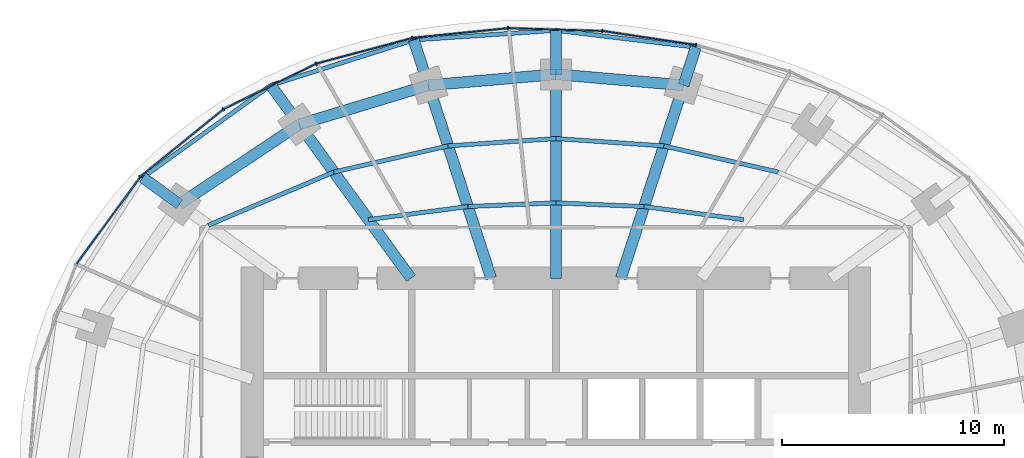
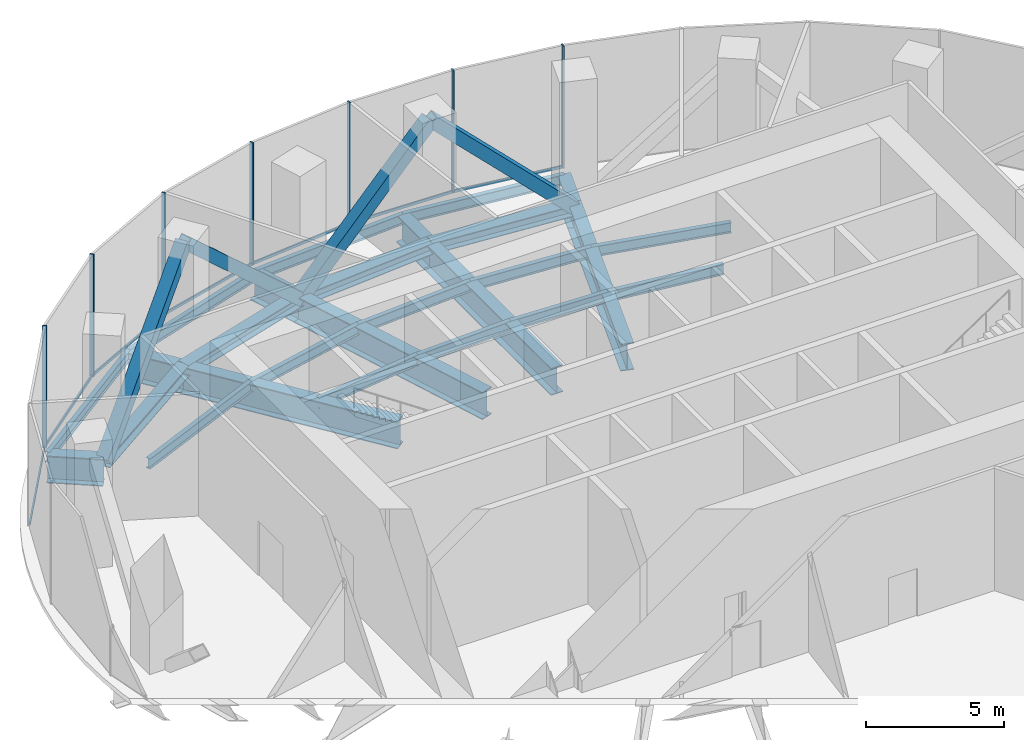
# One storey, part 7 of 13: 22 beams, 22 members, 2 elements without a shape of their own.
"""IFC4 building model written with IfcOpenShell, lengths in metres."""

import ifcopenshell
import ifcopenshell.guid

model = None  # the IFC model being written
_history = None  # IfcOwnerHistory: only IFC2X3 demands one
_inside = {}  # id of a spatial element -> (the spatial element, [elements in it])
_under = {}  # id of a project, library or spatial element -> (it, [spatial elements below it])
_declared = {}  # id of a project -> (the project, [libraries it declares])
_typed = {}  # id of a type object -> (the type object, [elements of that type])
_made_of = {}  # id of a material, layer set ... -> (it, [elements and type objects made of it])


def new_model(schema):
    """Start an empty IFC model of exactly this schema.

    Asked for "IFC4X3", IfcOpenShell would pick the latest addendum, in which some entities
    have other attributes; the version numbers below select the first issue.
    IFC2X3 requires an IfcOwnerHistory on every rooted entity: one is made here for all.
    """
    global model, _history
    if schema == "IFC4X3":
        model = ifcopenshell.file(schema_version=(4, 3, 0, 0))
    else:
        model = ifcopenshell.file(schema=schema)
    _inside.clear()
    _under.clear()
    _declared.clear()
    _typed.clear()
    _made_of.clear()
    _history = None
    if model.schema == "IFC2X3":
        org = make("IfcOrganization", Name="unknown")
        user = make(
            "IfcPersonAndOrganization",
            ThePerson=make("IfcPerson", FamilyName="unknown"),
            TheOrganization=org,
        )
        app = make(
            "IfcApplication",
            ApplicationDeveloper=org,
            Version="unknown",
            ApplicationFullName="unknown",
            ApplicationIdentifier="unknown",
        )
        _history = make(
            "IfcOwnerHistory",
            OwningUser=user,
            OwningApplication=app,
            ChangeAction="ADDED",
            CreationDate=0,
        )
    return model


def make(cls, **values):
    """One entity of the class cls with the attributes given. An attribute that is None is left unset."""
    return model.create_entity(
        cls, **{name: value for name, value in values.items() if value is not None}
    )


def rooted(cls, **values):
    """An entity with a GlobalId (a new one), such as an element, a storey or a relation."""
    return make(cls, GlobalId=ifcopenshell.guid.new(), OwnerHistory=_history, **values)


def si_unit(unit_type, name, prefix=None):
    """IfcSIUnit, for example si_unit("LENGTHUNIT", "METRE", prefix="MILLI")."""
    return make("IfcSIUnit", UnitType=unit_type, Prefix=prefix, Name=name)


def assignment(units):
    """IfcUnitAssignment: the units of a project."""
    return None if units is None else make("IfcUnitAssignment", Units=units)


def point(xyz):
    """IfcCartesianPoint."""
    return None if xyz is None else make("IfcCartesianPoint", Coordinates=xyz)


def direction(xyz):
    """IfcDirection."""
    return None if xyz is None else make("IfcDirection", DirectionRatios=xyz)


def frame(location, z_axis=None, x_axis=None):
    """IfcAxis2Placement3D, a coordinate frame: its origin and axes. An axis left out is left unset."""
    return make(
        "IfcAxis2Placement3D",
        Location=point(location),
        Axis=direction(z_axis),
        RefDirection=direction(x_axis),
    )


def frame_2d(location, x_axis=None):
    """IfcAxis2Placement2D, a coordinate frame in the plane: its origin and x axis."""
    return make(
        "IfcAxis2Placement2D", Location=point(location), RefDirection=direction(x_axis)
    )


def origin():
    """The frame at (0, 0, 0) with its axes left unset."""
    return frame((0.0, 0.0, 0.0))


def origin_2d():
    """The frame at (0, 0) in the plane with its x axis left unset."""
    return frame_2d((0.0, 0.0))


def place(relative_to, where):
    """IfcLocalPlacement: puts the frame where relative to a parent placement (None: the world)."""
    return make(
        "IfcLocalPlacement", PlacementRelTo=relative_to, RelativePlacement=where
    )


def context(
    kind, dimensions, precision=None, world=None, true_north=None, identifier=None
):
    """IfcGeometricRepresentationContext, for example the 3D "Model" context."""
    return make(
        "IfcGeometricRepresentationContext",
        ContextIdentifier=identifier,
        ContextType=kind,
        CoordinateSpaceDimension=dimensions,
        Precision=precision,
        WorldCoordinateSystem=world,
        TrueNorth=true_north,
    )


def subcontext(parent, identifier, kind, view, scale=None):
    """IfcGeometricRepresentationSubContext, for example "Body" below "Model"."""
    return make(
        "IfcGeometricRepresentationSubContext",
        ContextIdentifier=identifier,
        ContextType=kind,
        ParentContext=parent,
        TargetScale=scale,
        TargetView=view,
    )


def project(units=None, contexts=None):
    """IfcProject with its units and contexts."""
    return rooted(
        "IfcProject",
        Name="project",
        RepresentationContexts=contexts,
        UnitsInContext=assignment(units),
    )


def spatial(cls, under=None, at=None, **own):
    """A site, building, storey or space (cls), placed at a placement, below another one or the project."""
    s = rooted(cls, ObjectPlacement=at, **own)
    if under is not None:
        _under.setdefault(under.id(), (under, []))[1].append(s)
    return s


def profile(cls, at=None, kind="AREA", **sizes):
    """A parametric profile (cls). Its sizes go by their IFC names, for example OverallWidth=200.0."""
    return make(cls, ProfileType=kind, Position=at, **sizes)


def rectangle(**sizes):
    """IfcRectangleProfileDef."""
    return profile("IfcRectangleProfileDef", **sizes)


def hollow_rectangle(**sizes):
    """IfcRectangleHollowProfileDef."""
    return profile("IfcRectangleHollowProfileDef", **sizes)


def i_section(**sizes):
    """IfcIShapeProfileDef."""
    return profile("IfcIShapeProfileDef", **sizes)


def extrude(swept, where, along, depth):
    """IfcExtrudedAreaSolid: the profile swept, set in the frame where, extruded along a direction by depth."""
    return make(
        "IfcExtrudedAreaSolid",
        SweptArea=swept,
        Position=where,
        ExtrudedDirection=direction(along),
        Depth=depth,
    )


def shape(context_of_items, identifier, shape_type, items):
    """IfcShapeRepresentation: the items that make up one representation, for example the "Body"."""
    return make(
        "IfcShapeRepresentation",
        ContextOfItems=context_of_items,
        RepresentationIdentifier=identifier,
        RepresentationType=shape_type,
        Items=items,
    )


def material(Name=None, Category=None):
    """IfcMaterial."""
    return make("IfcMaterial", Name=Name, Category=Category)


def material_profile(
    of_material, cross_section, Name=None, Category=None, Priority=None
):
    """IfcMaterialProfile: a cross section and its material."""
    return make(
        "IfcMaterialProfile",
        Name=Name,
        Material=of_material,
        Profile=cross_section,
        Priority=Priority,
        Category=Category,
    )


def profile_set(profiles, Name=None, composite=None):
    """IfcMaterialProfileSet."""
    return make(
        "IfcMaterialProfileSet",
        Name=Name,
        MaterialProfiles=profiles,
        CompositeProfile=composite,
    )


def made_of(thing, what):
    """Note that an element or type object is made of a material, layer set ...; save() writes the relation."""
    if what is not None:
        _made_of.setdefault(what.id(), (what, []))[1].append(thing)
    return thing


def type_object(cls, material=None, **own):
    """A type object (cls), such as IfcWallType, which elements share."""
    return made_of(rooted(cls, **own), material)


def element(
    cls,
    number,
    at=None,
    inside=None,
    cuts=None,
    type_object=None,
    material=None,
    context=None,
    identifier="Body",
    shape_type=None,
    held_by="IfcProductDefinitionShape",
    body=None,
    shapes=None,
    **own,
):
    """One element of the class cls, such as IfcWall. Its Tag is "e" and its number.

    at: its placement. inside: the storey or other place that contains it. cuts: it is an
    opening in that element (IfcRelVoidsElement). A single representation is given by context,
    identifier, shape_type and body (its items); several are given by shapes. held_by: the class
    of the entity that holds the representations. save() writes the other relations.
    """
    e = rooted(cls, Tag="e%d" % number, ObjectPlacement=at, **own)
    if body is not None:
        shapes = [shape(context, identifier, shape_type, body)]
    if shapes is not None:
        e.Representation = make(held_by, Representations=shapes)
    if inside is not None:
        _inside.setdefault(inside.id(), (inside, []))[1].append(e)
    if cuts is not None:
        rooted(
            "IfcRelVoidsElement", RelatingBuildingElement=cuts, RelatedOpeningElement=e
        )
    if type_object is not None:
        _typed.setdefault(type_object.id(), (type_object, []))[1].append(e)
    return made_of(e, material)


def aggregate(whole, parts):
    """IfcRelAggregates: a whole, such as a stair, and the parts it consists of."""
    return rooted("IfcRelAggregates", RelatingObject=whole, RelatedObjects=parts)


def save(model, path):
    """Write the relations noted so far, then the file.

    IfcRelAggregates (storeys below a building ...), IfcRelContainedInSpatialStructure (elements
    in a storey), IfcRelDefinesByType, IfcRelAssociatesMaterial and IfcRelDeclares: one each for
    every whole, place, type object, material and project.
    """
    for whole, parts in _under.values():
        aggregate(whole, parts)
    for where, things in _inside.values():
        rooted(
            "IfcRelContainedInSpatialStructure",
            RelatedElements=things,
            RelatingStructure=where,
        )
    for kind, things in _typed.values():
        rooted("IfcRelDefinesByType", RelatedObjects=things, RelatingType=kind)
    for what, things in _made_of.values():
        rooted("IfcRelAssociatesMaterial", RelatedObjects=things, RelatingMaterial=what)
    for by, libraries in _declared.values():
        rooted("IfcRelDeclares", RelatingContext=by, RelatedDefinitions=libraries)
    model.write(path)


model = new_model("IFC4")

# Units and contexts
model_context = context("Model", 3, precision=1e-05, world=origin(), true_north=direction((0.0, 1.0)))
body_context = subcontext(model_context, "Body", "Model", "MODEL_VIEW")
ifc_project = project(units=[si_unit("LENGTHUNIT", "METRE"), si_unit("AREAUNIT", "SQUARE_METRE"), si_unit("VOLUMEUNIT", "CUBIC_METRE"), si_unit("PLANEANGLEUNIT", "RADIAN"), si_unit("MASSUNIT", "GRAM", prefix="KILO")], contexts=[model_context])

# Site, building, storey
site_placement = place(None, origin())
site = spatial("IfcSite", under=ifc_project, at=site_placement, CompositionType="ELEMENT")
building_placement = place(site_placement, origin())
building = spatial("IfcBuilding", under=site, at=building_placement, Name="Marramba Exchange Tower", CompositionType="ELEMENT")
storey_placement = place(building_placement, frame((0.0, 0.0, 246.199951171875)))
storey = spatial("IfcBuildingStorey", under=building, at=storey_placement, Name="L60", CompositionType="ELEMENT", Elevation=246.199951171875)

# Members
ifc_material_1 = material(Name="Steel AS/NZS 3679.2 grade 300", Category="steel")
ifc_material_profile_1 = material_profile(ifc_material_1, i_section(OverallWidth=0.5, OverallDepth=0.48388671875, WebThickness=0.02490234375, FlangeThickness=0.031982421875, at=origin_2d()), Name="500WC340")
ifc_profile_set_1 = profile_set([ifc_material_profile_1], Name="Steel AS/NZS 3679.2 grade 300")
member_type_1 = type_object("IfcMemberType", Name="Belt truss chord 500WC340", PredefinedType="CHORD", material=ifc_profile_set_1)
for number, where, z_axis, x_axis, name in (
    (1, (5.75390625, 17.70849609375, -0.44189453125), (-0.996311003275, 0.085815993578, 0.0), (-0.085815993578, -0.996311003275, 0.0), "Belt chord L60 TC05-TC06"),
    (2, (0.0, 18.2041015625, -0.44189453125), (-0.996311003275, -0.085815993578, 0.0), (0.085815993578, -0.996311003275, 0.0), "Belt chord L60 TC06-TC07"),
):
    element("IfcMember", number, at=place(storey_placement, frame(where, z_axis=z_axis, x_axis=x_axis)), inside=storey, type_object=member_type_1, Name=name, PredefinedType="CHORD", context=body_context, shape_type="SweptSolid", body=[
        extrude(i_section(OverallWidth=0.5, OverallDepth=0.48388671875, WebThickness=0.02490234375, FlangeThickness=0.031982421875, at=origin_2d()), origin(), (0.0, 0.0, 1.0), 5.775146484375),
    ])
member_1_placement = place(storey_placement, frame((-5.75390625, 17.70849609375, -0.44189453125), z_axis=(-0.956924542524, -0.290336735387, 0.0), x_axis=(0.290336735387, -0.956924542524, 0.0)))
element("IfcMember", 3, at=member_1_placement, inside=storey, type_object=member_type_1, Name="Belt chord L60 TC07-TC08", PredefinedType="CHORD", context=body_context, shape_type="SweptSolid", body=[
    extrude(i_section(OverallWidth=0.5, OverallDepth=0.48388671875, WebThickness=0.02490234375, FlangeThickness=0.031982421875, at=origin_2d()), origin(), (0.0, 0.0, 1.0), 6.089599609375),
])
member_2_placement = place(storey_placement, frame((-11.581298828125, 15.9404296875, -0.44189453125), z_axis=(-0.832293151443, -0.554335737673, 0.0), x_axis=(0.554335737673, -0.832293151443, 0.0)))
element("IfcMember", 4, at=member_2_placement, inside=storey, type_object=member_type_1, Name="Belt chord L60 TC08-TC09", PredefinedType="CHORD", context=body_context, shape_type="SweptSolid", body=[
    extrude(i_section(OverallWidth=0.5, OverallDepth=0.48388671875, WebThickness=0.02490234375, FlangeThickness=0.031982421875, at=origin_2d()), origin(), (0.0, 0.0, 1.0), 6.49365234375),
])
ifc_material_2 = material(Name="Steel AS/NZS 3678 grade 350", Category="steel")
ifc_material_profile_2 = material_profile(ifc_material_2, hollow_rectangle(XDim=0.5, YDim=0.5, WallThickness=0.031982421875, at=origin_2d()), Name="500x500x32BOX")
ifc_profile_set_2 = profile_set([ifc_material_profile_2], Name="Steel AS/NZS 3678 grade 350")
member_type_2 = type_object("IfcMemberType", Name="Belt truss diagonal 500x500x32BOX", PredefinedType="BRACE", material=ifc_profile_set_2)
for number, where, z_axis, x_axis, name in (
    (5, (5.75390625, 17.70849609375, -0.44189453125), (-0.715273791372, 0.061609207251, 0.696123343207), (-0.085815993578, -0.996311003275, 0.0), "Belt truss BT60 diagonal 05"),
    (6, (0.0, 18.2041015625, 5.157958984375), (-0.715273791372, -0.061609207251, -0.696123343207), (0.085815993578, -0.996311003275, 0.0), "Belt truss BT60 diagonal 06"),
):
    element("IfcMember", number, at=place(storey_placement, frame(where, z_axis=z_axis, x_axis=x_axis)), inside=storey, type_object=member_type_2, Name=name, PredefinedType="BRACE", context=body_context, shape_type="SweptSolid", body=[
        extrude(hollow_rectangle(XDim=0.5, YDim=0.5, WallThickness=0.031982421875, at=origin_2d()), origin(), (0.0, 0.0, 1.0), 8.04443359375),
    ])
member_3_placement = place(storey_placement, frame((-5.75390625, 17.70849609375, -0.44189453125), z_axis=(-0.704384845581, -0.213714652968, 0.676881109518), x_axis=(0.290336735387, -0.956924542524, 0.0)))
element("IfcMember", 7, at=member_3_placement, inside=storey, type_object=member_type_2, Name="Belt truss BT60 diagonal 07", PredefinedType="BRACE", context=body_context, shape_type="SweptSolid", body=[
    extrude(hollow_rectangle(XDim=0.5, YDim=0.5, WallThickness=0.031982421875, at=origin_2d()), origin(), (0.0, 0.0, 1.0), 8.27294921875),
])
member_4_placement = place(storey_placement, frame((-11.581298828125, 15.9404296875, 5.157958984375), z_axis=(-0.630292951441, -0.419796687719, -0.653070850937), x_axis=(0.554335737673, -0.832293151443, 0.0)))
element("IfcMember", 8, at=member_4_placement, inside=storey, type_object=member_type_2, Name="Belt truss BT60 diagonal 08", PredefinedType="BRACE", context=body_context, shape_type="SweptSolid", body=[
    extrude(hollow_rectangle(XDim=0.5, YDim=0.5, WallThickness=0.031982421875, at=origin_2d()), origin(), (0.0, 0.0, 1.0), 8.57470703125),
])

# Beams
ifc_material_profile_3 = material_profile(ifc_material_1, i_section(OverallWidth=0.5, OverallDepth=1.199951171875, WebThickness=0.01611328125, FlangeThickness=0.0400390625, at=origin_2d()), Name="1200WB455")
ifc_profile_set_3 = profile_set([ifc_material_profile_3], Name="Steel AS/NZS 3679.2 grade 300")
beam_type_1 = type_object("IfcBeamType", Name="Cantilever girder 1200WB455", PredefinedType="BEAM", material=ifc_profile_set_3)
beam_1_placement = place(storey_placement, frame((5.75390625, 17.70849609375, -0.800048828125), z_axis=(0.308960771946, 0.951074782232, 0.0), x_axis=(-0.951074782232, 0.308960771946, 0.0)))
element("IfcBeam", 9, at=beam_1_placement, inside=storey, type_object=beam_type_1, Name="Cantilever girder L60 TC05", PredefinedType="BEAM", context=body_context, shape_type="SweptSolid", body=[
    extrude(i_section(OverallWidth=0.5, OverallDepth=1.199951171875, WebThickness=0.01611328125, FlangeThickness=0.0400390625, at=origin_2d()), origin(), (0.0, 0.0, 1.0), 1.806396484375),
])
beam_2_placement = place(storey_placement, frame((0.0, 18.2041015625, -0.800048828125), z_axis=(0.0, 1.0, 0.0), x_axis=(-1.0, 0.0, 0.0)))
element("IfcBeam", 10, at=beam_2_placement, inside=storey, type_object=beam_type_1, Name="Cantilever girder L60 TC06", PredefinedType="BEAM", context=body_context, shape_type="SweptSolid", body=[
    extrude(i_section(OverallWidth=0.5, OverallDepth=1.199951171875, WebThickness=0.01611328125, FlangeThickness=0.0400390625, at=origin_2d()), origin(), (0.0, 0.0, 1.0), 1.982177734375),
])
beam_3_placement = place(storey_placement, frame((-5.75390625, 17.70849609375, -0.800048828125), z_axis=(-0.308998798068, 0.951062428441, 0.0), x_axis=(-0.951062428441, -0.308998798068, 0.0)))
element("IfcBeam", 11, at=beam_3_placement, inside=storey, type_object=beam_type_1, Name="Cantilever girder L60 TC07", PredefinedType="BEAM", context=body_context, shape_type="SweptSolid", body=[
    extrude(i_section(OverallWidth=0.5, OverallDepth=1.199951171875, WebThickness=0.01611328125, FlangeThickness=0.0400390625, at=origin_2d()), origin(), (0.0, 0.0, 1.0), 2.150634765625),
])
beam_4_placement = place(storey_placement, frame((-11.581298828125, 15.9404296875, -0.800048828125), z_axis=(-0.587832433352, 0.808982713226, 0.0), x_axis=(-0.808982713226, -0.587832433352, 0.0)))
element("IfcBeam", 12, at=beam_4_placement, inside=storey, type_object=beam_type_1, Name="Cantilever girder L60 TC08", PredefinedType="BEAM", context=body_context, shape_type="SweptSolid", body=[
    extrude(i_section(OverallWidth=0.5, OverallDepth=1.199951171875, WebThickness=0.01611328125, FlangeThickness=0.0400390625, at=origin_2d()), origin(), (0.0, 0.0, 1.0), 2.1826171875),
])
beam_5_placement = place(storey_placement, frame((-16.98583984375, 12.3408203125, -0.800048828125), z_axis=(-0.808962446125, 0.587860324192, 0.0), x_axis=(-0.587860324192, -0.808962446125, 0.0)))
element("IfcBeam", 13, at=beam_5_placement, inside=storey, type_object=beam_type_1, Name="Cantilever girder L60 TC09", PredefinedType="BEAM", context=body_context, shape_type="SweptSolid", body=[
    extrude(i_section(OverallWidth=0.5, OverallDepth=1.199951171875, WebThickness=0.01611328125, FlangeThickness=0.0400390625, at=origin_2d()), origin(), (0.0, 0.0, 1.0), 2.051513671875),
])
ifc_material_3 = material(Name="Steel AS/NZS 3679.1 grade 300", Category="steel")
ifc_material_profile_4 = material_profile(ifc_material_3, i_section(OverallWidth=0.19091796875, OverallDepth=0.4599609375, WebThickness=0.010009765625, FlangeThickness=0.01611328125, FilletRadius=0.011474609375, at=origin_2d()), Name="460UB82.1")
ifc_profile_set_4 = profile_set([ifc_material_profile_4], Name="Steel AS/NZS 3679.1 grade 300")
beam_type_2 = type_object("IfcBeamType", Name="Floor joist 460UB82.1", PredefinedType="JOIST", material=ifc_profile_set_4)
beam_6_placement = place(storey_placement, frame((8.4619140625, 11.646728515625, -0.429931640625), z_axis=(-0.991480538255, 0.130254912618, 0.0), x_axis=(-0.130254912618, -0.991480538255, 0.0)))
element("IfcBeam", 14, at=beam_6_placement, inside=storey, type_object=beam_type_2, Name="Joist L60 bay 04 row 1", PredefinedType="JOIST", context=body_context, shape_type="SweptSolid", body=[
    extrude(i_section(OverallWidth=0.19091796875, OverallDepth=0.4599609375, WebThickness=0.010009765625, FlangeThickness=0.01611328125, FilletRadius=0.011474609375, at=origin_2d()), origin(), (0.0, 0.0, 1.0), 4.524658203125),
])
beam_7_placement = place(storey_placement, frame((10.021728515625, 13.793701171875, -0.429931640625), z_axis=(-0.974859652292, 0.222819788916, 0.0), x_axis=(-0.222819788916, -0.974859652292, 0.0)))
element("IfcBeam", 15, at=beam_7_placement, inside=storey, type_object=beam_type_2, Name="Joist L60 bay 04 row 2", PredefinedType="JOIST", context=body_context, shape_type="SweptSolid", body=[
    extrude(i_section(OverallWidth=0.19091796875, OverallDepth=0.4599609375, WebThickness=0.010009765625, FlangeThickness=0.01611328125, FilletRadius=0.011474609375, at=origin_2d()), origin(), (0.0, 0.0, 1.0), 5.2900390625),
])
beam_8_placement = place(storey_placement, frame((3.975830078125, 12.236083984375, -0.429931640625), z_axis=(-0.999137002892, 0.041536122257, 0.0), x_axis=(-0.041536122257, -0.999137002892, 0.0)))
element("IfcBeam", 16, at=beam_8_placement, inside=storey, type_object=beam_type_2, Name="Joist L60 bay 05 row 1", PredefinedType="JOIST", context=body_context, shape_type="SweptSolid", body=[
    extrude(i_section(OverallWidth=0.19091796875, OverallDepth=0.4599609375, WebThickness=0.010009765625, FlangeThickness=0.01611328125, FilletRadius=0.011474609375, at=origin_2d()), origin(), (0.0, 0.0, 1.0), 3.979248046875),
])
beam_9_placement = place(storey_placement, frame((4.86474609375, 14.972412109375, -0.429931640625), z_axis=(-0.997702652202, 0.067745241816, 0.0), x_axis=(-0.067745241816, -0.997702652202, 0.0)))
element("IfcBeam", 17, at=beam_9_placement, inside=storey, type_object=beam_type_2, Name="Joist L60 bay 05 row 2", PredefinedType="JOIST", context=body_context, shape_type="SweptSolid", body=[
    extrude(i_section(OverallWidth=0.19091796875, OverallDepth=0.4599609375, WebThickness=0.010009765625, FlangeThickness=0.01611328125, FilletRadius=0.011474609375, at=origin_2d()), origin(), (0.0, 0.0, 1.0), 4.8759765625),
])
beam_10_placement = place(storey_placement, frame((0.0, 12.4013671875, -0.429931640625), z_axis=(-0.999137002892, -0.041536122257, 0.0), x_axis=(0.041536122257, -0.999137002892, 0.0)))
element("IfcBeam", 18, at=beam_10_placement, inside=storey, type_object=beam_type_2, Name="Joist L60 bay 06 row 1", PredefinedType="JOIST", context=body_context, shape_type="SweptSolid", body=[
    extrude(i_section(OverallWidth=0.19091796875, OverallDepth=0.4599609375, WebThickness=0.010009765625, FlangeThickness=0.01611328125, FilletRadius=0.011474609375, at=origin_2d()), origin(), (0.0, 0.0, 1.0), 3.979248046875),
])
beam_11_placement = place(storey_placement, frame((0.0, 15.302734375, -0.429931640625), z_axis=(-0.997702652202, -0.067745241816, 0.0), x_axis=(0.067745241816, -0.997702652202, 0.0)))
element("IfcBeam", 19, at=beam_11_placement, inside=storey, type_object=beam_type_2, Name="Joist L60 bay 06 row 2", PredefinedType="JOIST", context=body_context, shape_type="SweptSolid", body=[
    extrude(i_section(OverallWidth=0.19091796875, OverallDepth=0.4599609375, WebThickness=0.010009765625, FlangeThickness=0.01611328125, FilletRadius=0.011474609375, at=origin_2d()), origin(), (0.0, 0.0, 1.0), 4.8759765625),
])
beam_12_placement = place(storey_placement, frame((-3.975830078125, 12.236083984375, -0.429931640625), z_axis=(-0.991480538255, -0.130254912618, 0.0), x_axis=(0.130254912618, -0.991480538255, 0.0)))
element("IfcBeam", 20, at=beam_12_placement, inside=storey, type_object=beam_type_2, Name="Joist L60 bay 07 row 1", PredefinedType="JOIST", context=body_context, shape_type="SweptSolid", body=[
    extrude(i_section(OverallWidth=0.19091796875, OverallDepth=0.4599609375, WebThickness=0.010009765625, FlangeThickness=0.01611328125, FilletRadius=0.011474609375, at=origin_2d()), origin(), (0.0, 0.0, 1.0), 4.524658203125),
])
beam_13_placement = place(storey_placement, frame((-4.86474609375, 14.972412109375, -0.429931640625), z_axis=(-0.974859652292, -0.222819788916, 0.0), x_axis=(0.222819788916, -0.974859652292, 0.0)))
element("IfcBeam", 21, at=beam_13_placement, inside=storey, type_object=beam_type_2, Name="Joist L60 bay 07 row 2", PredefinedType="JOIST", context=body_context, shape_type="SweptSolid", body=[
    extrude(i_section(OverallWidth=0.19091796875, OverallDepth=0.4599609375, WebThickness=0.010009765625, FlangeThickness=0.01611328125, FilletRadius=0.011474609375, at=origin_2d()), origin(), (0.0, 0.0, 1.0), 5.2900390625),
])
beam_14_placement = place(storey_placement, frame((-10.021728515625, 13.793701171875, -0.429931640625), z_axis=(-0.920674336375, -0.390331610738, 0.0), x_axis=(0.390331610738, -0.920674336375, 0.0)))
element("IfcBeam", 22, at=beam_14_placement, inside=storey, type_object=beam_type_2, Name="Joist L60 bay 08 row 2", PredefinedType="JOIST", context=body_context, shape_type="SweptSolid", body=[
    extrude(i_section(OverallWidth=0.19091796875, OverallDepth=0.4599609375, WebThickness=0.010009765625, FlangeThickness=0.01611328125, FilletRadius=0.011474609375, at=origin_2d()), origin(), (0.0, 0.0, 1.0), 6.1484375),
])

# Curtain wall, members
ifc_material_4 = material(Name="Aluminium framing, bronze anodised", Category="aluminium")
curtain_wall_type = type_object("IfcCurtainWallType", Name="Plant floor louvred curtain wall", PredefinedType="USERDEFINED", material=ifc_material_4)
curtain_wall_1_placement = place(storey_placement, origin())
curtain_wall_1 = element("IfcCurtainWall", 23, at=curtain_wall_1_placement, inside=storey, type_object=curtain_wall_type, Name="Curtain wall CW6 L60 F06-F10", ObjectType="RIBBON CURTAIN WALL", PredefinedType="USERDEFINED")
ifc_material_5 = material(Name="Aluminium mullion, bronze anodised", Category="aluminium")
ifc_material_profile_5 = material_profile(ifc_material_5, rectangle(XDim=0.159912109375, YDim=0.06005859375, at=origin_2d()), Name="CW6 mullion 60x160")
ifc_profile_set_5 = profile_set([ifc_material_profile_5], Name="Aluminium mullion, bronze anodised")
member_type_3 = type_object("IfcMemberType", Name="Plant floor louvred curtain wall mullion", PredefinedType="MULLION", material=ifc_profile_set_5)
member_5_placement = place(storey_placement, frame((6.313232421875, 19.526123046875, 0.0), z_axis=(0.0, 0.0, 1.0), x_axis=(-0.148794988635, -0.988868065698, 0.0)))
member_5 = element("IfcMember", 24, at=member_5_placement, type_object=member_type_3, Name="CW6 mullion 1", PredefinedType="MULLION", context=body_context, shape_type="SweptSolid", body=[
    extrude(rectangle(XDim=0.159912109375, YDim=0.06005859375, at=origin_2d()), origin(), (0.0, 0.0, 1.0), 5.400146484375),
])
member_6_placement = place(storey_placement, frame((2.088623046875, 20.158203125, 0.0), z_axis=(0.0, 0.0, 1.0), x_axis=(-0.03039385249, -0.999538000143, 0.0)))
member_6 = element("IfcMember", 25, at=member_6_placement, type_object=member_type_3, Name="CW6 mullion 1", PredefinedType="MULLION", context=body_context, shape_type="SweptSolid", body=[
    extrude(rectangle(XDim=0.159912109375, YDim=0.06005859375, at=origin_2d()), origin(), (0.0, 0.0, 1.0), 5.400146484375),
])
member_7_placement = place(storey_placement, frame((-2.162109375, 20.28369140625, 0.0), z_axis=(0.0, 0.0, 1.0), x_axis=(0.100862673507, -0.994900357369, 0.0)))
member_7 = element("IfcMember", 26, at=member_7_placement, type_object=member_type_3, Name="CW6 mullion 1", PredefinedType="MULLION", context=body_context, shape_type="SweptSolid", body=[
    extrude(rectangle(XDim=0.159912109375, YDim=0.06005859375, at=origin_2d()), origin(), (0.0, 0.0, 1.0), 5.400146484375),
])
member_8_placement = place(storey_placement, frame((-6.478271484375, 19.84130859375, 0.0), z_axis=(0.0, 0.0, 1.0), x_axis=(0.257641223778, -0.966240653155, 0.0)))
member_8 = element("IfcMember", 27, at=member_8_placement, type_object=member_type_3, Name="CW6 mullion 1", PredefinedType="MULLION", context=body_context, shape_type="SweptSolid", body=[
    extrude(rectangle(XDim=0.159912109375, YDim=0.06005859375, at=origin_2d()), origin(), (0.0, 0.0, 1.0), 5.400146484375),
])

curtain_wall_2_placement = place(storey_placement, origin())
curtain_wall_2 = element("IfcCurtainWall", 28, at=curtain_wall_2_placement, inside=storey, type_object=curtain_wall_type, Name="Curtain wall CW6 L60 F11-F15", ObjectType="RIBBON CURTAIN WALL", PredefinedType="USERDEFINED")
member_9_placement = place(storey_placement, frame((-10.818359375, 18.677978515625, 0.0), z_axis=(0.0, 0.0, 1.0), x_axis=(0.438972456661, -0.898500518805, 0.0)))
member_9 = element("IfcMember", 29, at=member_9_placement, type_object=member_type_3, Name="CW6 mullion 1", PredefinedType="MULLION", context=body_context, shape_type="SweptSolid", body=[
    extrude(rectangle(XDim=0.159912109375, YDim=0.06005859375, at=origin_2d()), origin(), (0.0, 0.0, 1.0), 5.400146484375),
])
member_10_placement = place(storey_placement, frame((-15.008056640625, 16.62353515625, 0.0), z_axis=(0.0, 0.0, 1.0), x_axis=(0.630200830464, -0.776432169145, 0.0)))
member_10 = element("IfcMember", 30, at=member_10_placement, type_object=member_type_3, Name="CW6 mullion 1", PredefinedType="MULLION", context=body_context, shape_type="SweptSolid", body=[
    extrude(rectangle(XDim=0.159912109375, YDim=0.06005859375, at=origin_2d()), origin(), (0.0, 0.0, 1.0), 5.400146484375),
])
member_11_placement = place(storey_placement, frame((-18.744140625, 13.581298828125, 0.0), z_axis=(0.0, 0.0, 1.0), x_axis=(0.805965197024, -0.591962922138, 0.0)))
member_11 = element("IfcMember", 31, at=member_11_placement, type_object=member_type_3, Name="CW6 mullion 1", PredefinedType="MULLION", context=body_context, shape_type="SweptSolid", body=[
    extrude(rectangle(XDim=0.159912109375, YDim=0.06005859375, at=origin_2d()), origin(), (0.0, 0.0, 1.0), 5.400146484375),
])

# Member
ifc_material_6 = material(Name="Aluminium transom, bronze anodised", Category="aluminium")
ifc_material_profile_6 = material_profile(ifc_material_6, rectangle(XDim=0.06005859375, YDim=0.1201171875, at=origin_2d()), Name="CW6 transom 60x120")
ifc_profile_set_6 = profile_set([ifc_material_profile_6], Name="Aluminium transom, bronze anodised")
member_type_4 = type_object("IfcMemberType", Name="Plant floor louvred curtain wall transom", PredefinedType="USERDEFINED", material=ifc_profile_set_6)
member_12_placement = place(storey_placement, frame((6.28369140625, 19.53076171875, 0.030029296875), z_axis=(-0.988868222508, 0.148793946493, 0.0), x_axis=(-0.148793946493, -0.988868222508, 0.0)))
member_12 = element("IfcMember", 32, at=member_12_placement, type_object=member_type_4, Name="CW6 sill transom", ObjectType="TRANSOM", PredefinedType="USERDEFINED", context=body_context, shape_type="SweptSolid", body=[
    extrude(rectangle(XDim=0.06005859375, YDim=0.1201171875, at=origin_2d()), origin(), (0.0, 0.0, 1.0), 4.2119140625),
])

member_13_placement = place(storey_placement, frame((2.05859375, 20.1591796875, 0.030029296875), z_axis=(-0.99953796835, 0.030394898024, 0.0), x_axis=(-0.030394898024, -0.99953796835, 0.0)))
member_13 = element("IfcMember", 33, at=member_13_placement, type_object=member_type_4, Name="CW6 sill transom", ObjectType="TRANSOM", PredefinedType="USERDEFINED", context=body_context, shape_type="SweptSolid", body=[
    extrude(rectangle(XDim=0.06005859375, YDim=0.1201171875, at=origin_2d()), origin(), (0.0, 0.0, 1.0), 4.19287109375),
])

member_14_placement = place(storey_placement, frame((-2.19189453125, 20.280517578125, 0.030029296875), z_axis=(-0.99489954864, -0.100870650418, 0.0), x_axis=(0.100870650418, -0.99489954864, 0.0)))
member_14 = element("IfcMember", 34, at=member_14_placement, type_object=member_type_4, Name="CW6 sill transom", ObjectType="TRANSOM", PredefinedType="USERDEFINED", context=body_context, shape_type="SweptSolid", body=[
    extrude(rectangle(XDim=0.06005859375, YDim=0.1201171875, at=origin_2d()), origin(), (0.0, 0.0, 1.0), 4.279052734375),
])

member_15_placement = place(storey_placement, frame((-6.50732421875, 19.83349609375, 0.030029296875), z_axis=(-0.966237681407, -0.25765236857, 0.0), x_axis=(0.25765236857, -0.966237681407, 0.0)))
member_15 = element("IfcMember", 35, at=member_15_placement, type_object=member_type_4, Name="CW6 sill transom", ObjectType="TRANSOM", PredefinedType="USERDEFINED", context=body_context, shape_type="SweptSolid", body=[
    extrude(rectangle(XDim=0.06005859375, YDim=0.1201171875, at=origin_2d()), origin(), (0.0, 0.0, 1.0), 4.43359375),
])

aggregate(curtain_wall_1, [member_5, member_12, member_6, member_13, member_7, member_14, member_8, member_15])

member_16_placement = place(storey_placement, frame((-10.84521484375, 18.664794921875, 0.030029296875), z_axis=(-0.898501418486, -0.438970615165, 0.0), x_axis=(0.438970615165, -0.898501418486, 0.0)))
member_16 = element("IfcMember", 36, at=member_16_placement, type_object=member_type_4, Name="CW6 sill transom", ObjectType="TRANSOM", PredefinedType="USERDEFINED", context=body_context, shape_type="SweptSolid", body=[
    extrude(rectangle(XDim=0.06005859375, YDim=0.1201171875, at=origin_2d()), origin(), (0.0, 0.0, 1.0), 4.607177734375),
])

member_17_placement = place(storey_placement, frame((-15.031494140625, 16.6044921875, 0.030029296875), z_axis=(-0.776424623019, -0.630210127473, 0.0), x_axis=(0.630210127473, -0.776424623019, 0.0)))
member_17 = element("IfcMember", 37, at=member_17_placement, type_object=member_type_4, Name="CW6 sill transom", ObjectType="TRANSOM", PredefinedType="USERDEFINED", context=body_context, shape_type="SweptSolid", body=[
    extrude(rectangle(XDim=0.06005859375, YDim=0.1201171875, at=origin_2d()), origin(), (0.0, 0.0, 1.0), 4.7587890625),
])

member_18_placement = place(storey_placement, frame((-18.761962890625, 13.55712890625, 0.030029296875), z_axis=(-0.591957380483, -0.805969267213, 0.0), x_axis=(0.805969267213, -0.591957380483, 0.0)))
member_18 = element("IfcMember", 38, at=member_18_placement, type_object=member_type_4, Name="CW6 sill transom", ObjectType="TRANSOM", PredefinedType="USERDEFINED", context=body_context, shape_type="SweptSolid", body=[
    extrude(rectangle(XDim=0.06005859375, YDim=0.1201171875, at=origin_2d()), origin(), (0.0, 0.0, 1.0), 4.865478515625),
])

aggregate(curtain_wall_2, [member_9, member_16, member_10, member_17, member_11, member_18])

# Beams
ifc_material_profile_7 = material_profile(ifc_material_1, i_section(OverallWidth=0.5, OverallDepth=1.199951171875, WebThickness=0.01611328125, FlangeThickness=0.0400390625, at=origin_2d()), Name="1200WB455")
ifc_profile_set_7 = profile_set([ifc_material_profile_7], Name="Steel AS/NZS 3679.2 grade 300")
beam_type_3 = type_object("IfcBeamType", Name="Radial girder 1200WB455", PredefinedType="BEAM", material=ifc_profile_set_7)
beam_15_placement = place(storey_placement, frame((2.92431640625, 9.0, -0.800048828125), z_axis=(0.309019754162, 0.951055619582, 0.0), x_axis=(-0.951055619582, 0.309019754162, 0.0)))
element("IfcBeam", 39, at=beam_15_placement, inside=storey, type_object=beam_type_3, Name="Radial girder L60 TC05", PredefinedType="BEAM", context=body_context, shape_type="SweptSolid", body=[
    extrude(i_section(OverallWidth=0.5, OverallDepth=1.199951171875, WebThickness=0.01611328125, FlangeThickness=0.0400390625, at=origin_2d()), origin(), (0.0, 0.0, 1.0), 9.15673828125),
])
beam_16_placement = place(storey_placement, frame((0.0, 9.0, -0.800048828125), z_axis=(0.0, 1.0, 0.0), x_axis=(-1.0, 0.0, 0.0)))
element("IfcBeam", 40, at=beam_16_placement, inside=storey, type_object=beam_type_3, Name="Radial girder L60 TC06", PredefinedType="BEAM", context=body_context, shape_type="SweptSolid", body=[
    extrude(i_section(OverallWidth=0.5, OverallDepth=1.199951171875, WebThickness=0.01611328125, FlangeThickness=0.0400390625, at=origin_2d()), origin(), (0.0, 0.0, 1.0), 9.2041015625),
])
beam_17_placement = place(storey_placement, frame((-2.92431640625, 9.0, -0.800048828125), z_axis=(-0.309019754162, 0.951055619582, 0.0), x_axis=(-0.951055619582, -0.309019754162, 0.0)))
element("IfcBeam", 41, at=beam_17_placement, inside=storey, type_object=beam_type_3, Name="Radial girder L60 TC07", PredefinedType="BEAM", context=body_context, shape_type="SweptSolid", body=[
    extrude(i_section(OverallWidth=0.5, OverallDepth=1.199951171875, WebThickness=0.01611328125, FlangeThickness=0.0400390625, at=origin_2d()), origin(), (0.0, 0.0, 1.0), 9.15673828125),
])
beam_18_placement = place(storey_placement, frame((-6.538818359375, 9.0, -0.800048828125), z_axis=(-0.587782439969, 0.80901903764, 0.0), x_axis=(-0.80901903764, -0.587782439969, 0.0)))
element("IfcBeam", 42, at=beam_18_placement, inside=storey, type_object=beam_type_3, Name="Radial girder L60 TC08", PredefinedType="BEAM", context=body_context, shape_type="SweptSolid", body=[
    extrude(i_section(OverallWidth=0.5, OverallDepth=1.199951171875, WebThickness=0.01611328125, FlangeThickness=0.0400390625, at=origin_2d()), origin(), (0.0, 0.0, 1.0), 8.578857421875),
])
ifc_material_profile_8 = material_profile(ifc_material_3, i_section(OverallWidth=0.19091796875, OverallDepth=0.4599609375, WebThickness=0.010009765625, FlangeThickness=0.01611328125, FilletRadius=0.011474609375, at=origin_2d()), Name="460UB82.1")
ifc_profile_set_8 = profile_set([ifc_material_profile_8], Name="Steel AS/NZS 3679.1 grade 300")
beam_type_4 = type_object("IfcBeamType", Name="Slab edge beam 460UB82.1", PredefinedType="SPANDREL", material=ifc_profile_set_8)
beam_19_placement = place(storey_placement, frame((6.31201171875, 19.426513671875, -0.429931640625), z_axis=(-0.992833525914, 0.119505605811, 0.0), x_axis=(-0.119505605811, -0.992833525914, 0.0)))
element("IfcBeam", 43, at=beam_19_placement, inside=storey, type_object=beam_type_4, Name="Slab edge beam L60 TC05-TC06", PredefinedType="SPANDREL", context=body_context, shape_type="SweptSolid", body=[
    extrude(i_section(OverallWidth=0.19091796875, OverallDepth=0.4599609375, WebThickness=0.010009765625, FlangeThickness=0.01611328125, FilletRadius=0.011474609375, at=origin_2d()), origin(), (0.0, 0.0, 1.0), 6.357666015625),
])
beam_20_placement = place(storey_placement, frame((0.0, 20.186279296875, -0.429931640625), z_axis=(-0.997738737775, -0.06721168903, 0.0), x_axis=(0.06721168903, -0.997738737775, 0.0)))
element("IfcBeam", 44, at=beam_20_placement, inside=storey, type_object=beam_type_4, Name="Slab edge beam L60 TC06-TC07", PredefinedType="SPANDREL", context=body_context, shape_type="SweptSolid", body=[
    extrude(i_section(OverallWidth=0.19091796875, OverallDepth=0.4599609375, WebThickness=0.010009765625, FlangeThickness=0.01611328125, FilletRadius=0.011474609375, at=origin_2d()), origin(), (0.0, 0.0, 1.0), 6.43310546875),
])
beam_21_placement = place(storey_placement, frame((-6.41845703125, 19.75390625, -0.429931640625), z_axis=(-0.953057484675, -0.302789416766, 0.0), x_axis=(0.302789416766, -0.953057484675, 0.0)))
element("IfcBeam", 45, at=beam_21_placement, inside=storey, type_object=beam_type_4, Name="Slab edge beam L60 TC07-TC08", PredefinedType="SPANDREL", context=body_context, shape_type="SweptSolid", body=[
    extrude(i_section(OverallWidth=0.19091796875, OverallDepth=0.4599609375, WebThickness=0.010009765625, FlangeThickness=0.01611328125, FilletRadius=0.011474609375, at=origin_2d()), origin(), (0.0, 0.0, 1.0), 6.76318359375),
])
beam_22_placement = place(storey_placement, frame((-12.8642578125, 17.7060546875, -0.429931640625), z_axis=(-0.811755352788, -0.583997643163, 0.0), x_axis=(0.583997643163, -0.811755352788, 0.0)))
element("IfcBeam", 46, at=beam_22_placement, inside=storey, type_object=beam_type_4, Name="Slab edge beam L60 TC08-TC09", PredefinedType="SPANDREL", context=body_context, shape_type="SweptSolid", body=[
    extrude(i_section(OverallWidth=0.19091796875, OverallDepth=0.4599609375, WebThickness=0.010009765625, FlangeThickness=0.01611328125, FilletRadius=0.011474609375, at=origin_2d()), origin(), (0.0, 0.0, 1.0), 7.121826171875),
])

save(model, "model.ifc")
